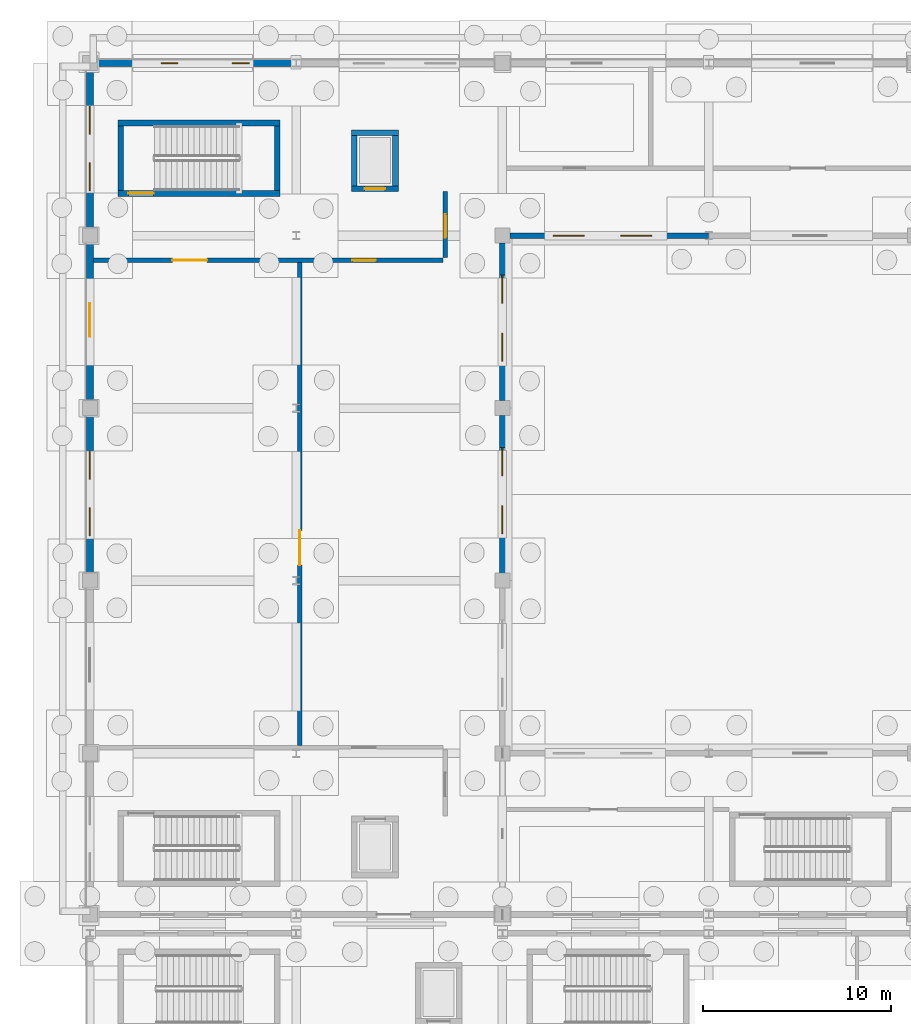
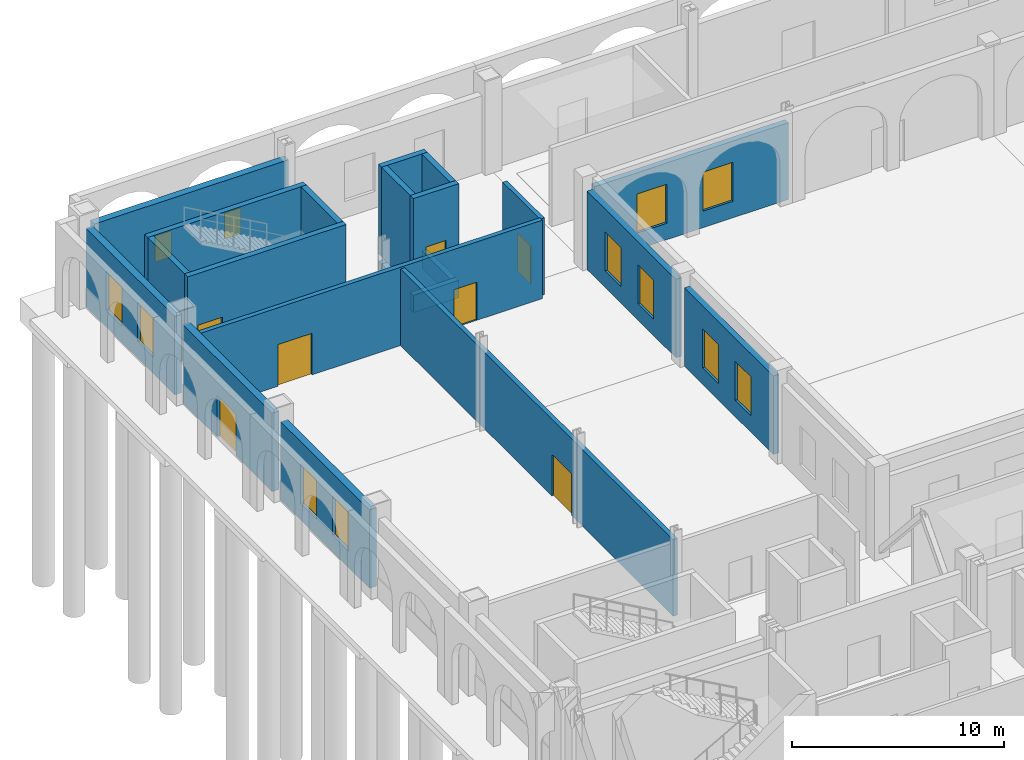
# One storey, part 56 of 83: 22 walls, 12 windows, 7 doors, 19 openings.
"""IFC4 building model written with IfcOpenShell, lengths in metres."""

from ifc_helpers import new_model, si_unit, direction, frame, frame_2d, origin, place, context, subcontext, project, spatial, rectangle, extrude, material, layer, layer_set, type_object, element, fill, save


model = new_model("IFC4")

# Units and contexts
model_context = context("Model", 3, precision=1e-05, world=origin(), true_north=direction((0.0, 1.0)))
body_context = subcontext(model_context, "Body", "Model", "MODEL_VIEW")
ifc_project = project(units=[si_unit("LENGTHUNIT", "METRE"), si_unit("AREAUNIT", "SQUARE_METRE"), si_unit("VOLUMEUNIT", "CUBIC_METRE"), si_unit("PLANEANGLEUNIT", "RADIAN"), si_unit("MASSUNIT", "GRAM", prefix="KILO")], contexts=[model_context])

# Site, building, storey
site_placement = place(None, origin())
site = spatial("IfcSite", under=ifc_project, at=site_placement, CompositionType="ELEMENT")
building_placement = place(site_placement, origin())
building = spatial("IfcBuilding", under=site, at=building_placement, Name="Caurita Quay Ferry Terminal", CompositionType="ELEMENT")
storey_placement = place(building_placement, origin())
storey = spatial("IfcBuildingStorey", under=building, at=storey_placement, Name="L00", CompositionType="ELEMENT", Elevation=0.0)

# Wall, openings, doors
ifc_material_1 = material(Name="Warm-white lime stucco masonry", Category="masonry")
ifc_layer_1 = layer(ifc_material_1, 0.239990234375, Name="Interior partitioning wall 240 mm")
ifc_layer_set_1 = layer_set([ifc_layer_1], Name="Warm-white lime stucco masonry")
wall_type_1 = type_object("IfcWallType", Name="WL-COMP-240", PredefinedType="PARTITIONING", material=ifc_layer_set_1)
wall_1_placement = place(storey_placement, frame((0.195068359375, 106.5, 0.0), z_axis=(0.0, 0.0, 1.0), x_axis=(1.0, 0.0, 0.0)))
wall_1 = element("IfcWall", 1, at=wall_1_placement, inside=storey, type_object=wall_type_1, Name="L00 Interior Partition IW-L00-022", PredefinedType="PARTITIONING", context=body_context, shape_type="SweptSolid", body=[
    extrude(rectangle(XDim=18.6298828125, YDim=0.239990234375, at=frame_2d((9.31494140625, 0.0))), origin(), (0.0, 0.0, 1.0), 4.52490234375),
])
opening_1_placement = place(wall_1_placement, frame((4.205078125, 0.0, 0.0)))
opening_1 = element("IfcOpeningElement", 2, at=opening_1_placement, cuts=wall_1, Name="Opening PD-01", PredefinedType="OPENING", context=body_context, shape_type="SweptSolid", body=[
    extrude(rectangle(XDim=1.85009765625, YDim=2.39990234375, at=frame_2d((0.925048828125, 1.199951171875))), frame((0.0, 0.1298828125, 0.0), z_axis=(0.0, -1.0, 0.0), x_axis=(1.0, 0.0, 0.0)), (0.0, 0.0, 1.0), 0.260009765625),
])
opening_2_placement = place(wall_1_placement, frame((13.804931640625, 0.0, 0.0)))
opening_2 = element("IfcOpeningElement", 3, at=opening_2_placement, cuts=wall_1, Name="Opening FD-01", PredefinedType="OPENING", context=body_context, shape_type="SweptSolid", body=[
    extrude(rectangle(XDim=1.25, YDim=2.199951171875, at=frame_2d((0.625, 1.10009765625))), frame((0.0, 0.1298828125, 0.0), z_axis=(0.0, -1.0, 0.0), x_axis=(1.0, 0.0, 0.0)), (0.0, 0.0, 1.0), 0.260009765625),
])
ifc_material_2 = material(Name="Anodized aluminium 6063-T6", Category="aluminium")
door_type_1 = type_object("IfcDoorType", Name="DR-FF-1100", OperationType="NOTDEFINED", PredefinedType="DOOR", material=ifc_material_2)
door_1_placement = place(opening_2_placement, frame((1.25, 0.0, 0.0), z_axis=(0.0, 0.0, 1.0), x_axis=(-1.0, 0.0, 0.0)))
door_1 = element("IfcDoor", 4, at=door_1_placement, inside=storey, type_object=door_type_1, Name="Firefighting Lobby L00 North Door", OperationType="SINGLE_SWING_RIGHT", OverallHeight=2.199951171875, OverallWidth=1.25, PredefinedType="DOOR", context=body_context, shape_type="SweptSolid", body=[
    extrude(rectangle(XDim=1.25, YDim=2.199951171875, at=frame_2d((0.625, 1.10009765625))), frame((0.0, 0.02490234375, 0.0), z_axis=(0.0, -1.0, 0.0), x_axis=(1.0, 0.0, 0.0)), (0.0, 0.0, 1.0), 0.050048828125),
])
fill(opening_2, door_1)
door_type_2 = type_object("IfcDoorType", Name="DR-PL-1800", OperationType="NOTDEFINED", PredefinedType="DOOR", material=ifc_material_2)
door_2_placement = place(opening_1_placement, origin())
door_2 = element("IfcDoor", 5, at=door_2_placement, inside=storey, type_object=door_type_2, Name="Chiller Plant North Fire Door", OperationType="SINGLE_SWING_LEFT", OverallHeight=2.39990234375, OverallWidth=1.85009765625, PredefinedType="DOOR", context=body_context, shape_type="SweptSolid", body=[
    extrude(rectangle(XDim=1.85009765625, YDim=2.39990234375, at=frame_2d((0.925048828125, 1.199951171875))), frame((0.0, 0.02490234375, 0.0), z_axis=(0.0, -1.0, 0.0), x_axis=(1.0, 0.0, 0.0)), (0.0, 0.0, 1.0), 0.050048828125),
])
fill(opening_1, door_2)

# Wall, opening, door
wall_2_placement = place(storey_placement, frame((11.199951171875, 80.625, 0.0), z_axis=(0.0, 0.0, 1.0), x_axis=(0.0, 1.0, 0.0)))
wall_2 = element("IfcWall", 6, at=wall_2_placement, inside=storey, type_object=wall_type_1, Name="L00 Interior Partition IW-L00-024", PredefinedType="PARTITIONING", context=body_context, shape_type="SweptSolid", body=[
    extrude(rectangle(XDim=25.75, YDim=0.239990234375, at=frame_2d((12.875, 0.0))), origin(), (0.0, 0.0, 1.0), 4.425048828125),
])
opening_3_placement = place(wall_2_placement, frame((9.60498046875, 0.0, 0.0)))
opening_3 = element("IfcOpeningElement", 7, at=opening_3_placement, cuts=wall_2, Name="Opening PD-01", PredefinedType="OPENING", context=body_context, shape_type="SweptSolid", body=[
    extrude(rectangle(XDim=1.85009765625, YDim=2.39990234375, at=frame_2d((0.925048828125, 1.199951171875))), frame((0.0, 0.1298828125, 0.0), z_axis=(0.0, -1.0, 0.0), x_axis=(1.0, 0.0, 0.0)), (0.0, 0.0, 1.0), 0.260009765625),
])
door_3_placement = place(opening_3_placement, frame((1.85009765625, 0.0, 0.0), z_axis=(0.0, 0.0, 1.0), x_axis=(-1.0, 0.0, 0.0)))
door_3 = element("IfcDoor", 8, at=door_3_placement, inside=storey, type_object=door_type_2, Name="Chiller Plant Double Fire Door", OperationType="SINGLE_SWING_RIGHT", OverallHeight=2.39990234375, OverallWidth=1.85009765625, PredefinedType="DOOR", context=body_context, shape_type="SweptSolid", body=[
    extrude(rectangle(XDim=1.85009765625, YDim=2.39990234375, at=frame_2d((0.925048828125, 1.199951171875))), frame((0.0, 0.02490234375, 0.0), z_axis=(0.0, -1.0, 0.0), x_axis=(1.0, 0.0, 0.0)), (0.0, 0.0, 1.0), 0.050048828125),
])
fill(opening_3, door_3)

wall_3_placement = place(storey_placement, frame((18.949951171875, 106.625, 0.0), z_axis=(0.0, 0.0, 1.0), x_axis=(0.0, 1.0, 0.0)))
wall_3 = element("IfcWall", 9, at=wall_3_placement, inside=storey, type_object=wall_type_1, Name="L00 Interior Partition IW-L00-025", PredefinedType="PARTITIONING", context=body_context, shape_type="SweptSolid", body=[
    extrude(rectangle(XDim=3.52490234375, YDim=0.239990234375, at=frame_2d((1.762451171875, 0.0))), origin(), (0.0, 0.0, 1.0), 4.425048828125),
])
opening_4_placement = place(wall_3_placement, frame((1.054931640625, 0.0, 0.0)))
opening_4 = element("IfcOpeningElement", 10, at=opening_4_placement, cuts=wall_3, Name="Opening FD-01", PredefinedType="OPENING", context=body_context, shape_type="SweptSolid", body=[
    extrude(rectangle(XDim=1.25, YDim=2.199951171875, at=frame_2d((0.625, 1.10009765625))), frame((0.0, 0.1298828125, 0.0), z_axis=(0.0, -1.0, 0.0), x_axis=(1.0, 0.0, 0.0)), (0.0, 0.0, 1.0), 0.260009765625),
])
door_4_placement = place(opening_4_placement, origin())
door_4 = element("IfcDoor", 11, at=door_4_placement, inside=storey, type_object=door_type_1, Name="Firefighting Lobby L00 North East Door", OperationType="SINGLE_SWING_LEFT", OverallHeight=2.199951171875, OverallWidth=1.25, PredefinedType="DOOR", context=body_context, shape_type="SweptSolid", body=[
    extrude(rectangle(XDim=1.25, YDim=2.199951171875, at=frame_2d((0.625, 1.10009765625))), frame((0.0, 0.02490234375, 0.0), z_axis=(0.0, -1.0, 0.0), x_axis=(1.0, 0.0, 0.0)), (0.0, 0.0, 1.0), 0.050048828125),
])
fill(opening_4, door_4)

ifc_material_3 = material(Name="Reinforced concrete C35/45", Category="concrete")
ifc_layer_2 = layer(ifc_material_3, 0.300048828125, Name="Interior shear wall 300 mm")
ifc_layer_set_2 = layer_set([ifc_layer_2], Name="Reinforced concrete C35/45")
wall_type_2 = type_object("IfcWallType", Name="WL-CORE-300", PredefinedType="SHEAR", material=ifc_layer_set_2)
wall_4_placement = place(storey_placement, frame((1.5, 110.050048828125, 0.0), z_axis=(0.0, 0.0, 1.0), x_axis=(1.0, 0.0, 0.0)))
wall_4 = element("IfcWall", 12, at=wall_4_placement, inside=storey, type_object=wall_type_2, Name="L00 ST-01 Core Wall South", PredefinedType="SHEAR", context=body_context, shape_type="SweptSolid", body=[
    extrude(rectangle(XDim=8.64990234375, YDim=0.300048828125, at=frame_2d((4.324951171875, 0.0))), origin(), (0.0, 0.0, 1.0), 5.179931640625),
])
opening_5_placement = place(wall_4_placement, frame((0.550048828125, 0.0, 0.0)))
opening_5 = element("IfcOpeningElement", 13, at=opening_5_placement, cuts=wall_4, Name="Opening SD-01", PredefinedType="OPENING", context=body_context, shape_type="SweptSolid", body=[
    extrude(rectangle(XDim=1.35009765625, YDim=2.199951171875, at=frame_2d((0.675048828125, 1.10009765625))), frame((0.0, 0.159912109375, 0.0), z_axis=(0.0, -1.0, 0.0), x_axis=(1.0, 0.0, 0.0)), (0.0, 0.0, 1.0), 0.320068359375),
])
door_type_3 = type_object("IfcDoorType", Name="DR-ST-1200", OperationType="NOTDEFINED", PredefinedType="DOOR", material=ifc_material_2)
door_5_placement = place(opening_5_placement, frame((1.35009765625, 0.0, 0.0), z_axis=(0.0, 0.0, 1.0), x_axis=(-1.0, 0.0, 0.0)))
door_5 = element("IfcDoor", 14, at=door_5_placement, inside=storey, type_object=door_type_3, Name="L00 Exit Stair ST-01 Fire Door", OperationType="SINGLE_SWING_LEFT", OverallHeight=2.199951171875, OverallWidth=1.35009765625, PredefinedType="DOOR", context=body_context, shape_type="SweptSolid", body=[
    extrude(rectangle(XDim=1.35009765625, YDim=2.199951171875, at=frame_2d((0.675048828125, 1.10009765625))), frame((0.0, 0.02490234375, 0.0), z_axis=(0.0, -1.0, 0.0), x_axis=(1.0, 0.0, 0.0)), (0.0, 0.0, 1.0), 0.050048828125),
])
fill(opening_5, door_5)

# Walls
wall_5_placement = place(storey_placement, frame((10.14990234375, 113.81005859375, 0.0), z_axis=(0.0, 0.0, 1.0), x_axis=(-1.0, 0.0, 0.0)))
element("IfcWall", 15, at=wall_5_placement, inside=storey, type_object=wall_type_2, Name="L00 ST-01 Core Wall North", PredefinedType="SHEAR", context=body_context, shape_type="SweptSolid", body=[
    extrude(rectangle(XDim=8.64990234375, YDim=0.300048828125, at=frame_2d((4.324951171875, 0.0))), origin(), (0.0, 0.0, 1.0), 5.179931640625),
])
for number, where, z_axis, x_axis, name in (
    (16, (1.64990234375, 113.659912109375, 0.0), (0.0, 0.0, 1.0), (0.0, -1.0, 0.0), "L00 ST-01 Core Wall West"),
    (17, (10.0, 110.199951171875, 0.0), (0.0, 0.0, 1.0), (0.0, 1.0, 0.0), "L00 ST-01 Core Wall East"),
):
    element("IfcWall", number, at=place(storey_placement, frame(where, z_axis=z_axis, x_axis=x_axis)), inside=storey, type_object=wall_type_2, Name=name, PredefinedType="SHEAR", context=body_context, shape_type="SweptSolid", body=[
        extrude(rectangle(XDim=3.4599609375, YDim=0.300048828125, at=frame_2d((1.72998046875, 0.0))), origin(), (0.0, 0.0, 1.0), 5.179931640625),
    ])
for number, where, z_axis, x_axis, name in (
    (18, (13.955078125, 110.304931640625, -1.39990234375), (0.0, 0.0, 1.0), (1.0, 0.0, 0.0), "Lift LF-01 Pit Wall S"),
    (19, (16.445068359375, 113.294921875, -1.39990234375), (0.0, 0.0, 1.0), (-1.0, 0.0, 0.0), "Lift LF-01 Pit Wall N"),
):
    element("IfcWall", number, at=place(storey_placement, frame(where, z_axis=z_axis, x_axis=x_axis)), inside=storey, type_object=wall_type_2, Name=name, PredefinedType="SHEAR", context=body_context, shape_type="SweptSolid", body=[
        extrude(rectangle(XDim=2.489990234375, YDim=0.300048828125, at=frame_2d((1.2451171875, 0.0))), origin(), (0.0, 0.0, 1.0), 1.0),
    ])
for number, where, z_axis, x_axis, name in (
    (20, (14.10498046875, 113.14501953125, -1.39990234375), (0.0, 0.0, 1.0), (0.0, -1.0, 0.0), "Lift LF-01 Pit Wall W"),
    (21, (16.294921875, 110.455078125, -1.39990234375), (0.0, 0.0, 1.0), (0.0, 1.0, 0.0), "Lift LF-01 Pit Wall E"),
):
    element("IfcWall", number, at=place(storey_placement, frame(where, z_axis=z_axis, x_axis=x_axis)), inside=storey, type_object=wall_type_2, Name=name, PredefinedType="SHEAR", context=body_context, shape_type="SweptSolid", body=[
        extrude(rectangle(XDim=2.68994140625, YDim=0.300048828125, at=frame_2d((1.344970703125, 0.0))), origin(), (0.0, 0.0, 1.0), 1.0),
    ])

# Wall, opening, door
wall_6_placement = place(storey_placement, frame((13.955078125, 110.304931640625, 0.0), z_axis=(0.0, 0.0, 1.0), x_axis=(1.0, 0.0, 0.0)))
wall_6 = element("IfcWall", 22, at=wall_6_placement, inside=storey, type_object=wall_type_2, Name="L00 Lift LF-01 Shaft Wall South", PredefinedType="SHEAR", context=body_context, shape_type="SweptSolid", body=[
    extrude(rectangle(XDim=2.489990234375, YDim=0.300048828125, at=frame_2d((1.2451171875, 0.0))), origin(), (0.0, 0.0, 1.0), 5.179931640625),
])
opening_6_placement = place(wall_6_placement, frame((0.695068359375, 0.0, 0.0)))
opening_6 = element("IfcOpeningElement", 23, at=opening_6_placement, cuts=wall_6, Name="Opening LD-01", PredefinedType="OPENING", context=body_context, shape_type="SweptSolid", body=[
    extrude(rectangle(XDim=1.10009765625, YDim=2.14990234375, at=frame_2d((0.550048828125, 1.074951171875))), frame((0.0, 0.159912109375, 0.0), z_axis=(0.0, -1.0, 0.0), x_axis=(1.0, 0.0, 0.0)), (0.0, 0.0, 1.0), 0.320068359375),
])
ifc_material_4 = material(Name="Bronze architectural metalwork", Category="metal")
door_type_4 = type_object("IfcDoorType", Name="DR-LD-01", OperationType="DOUBLE_DOOR_SLIDING", PredefinedType="DOOR", material=ifc_material_4)
door_6_placement = place(opening_6_placement, frame((1.10009765625, 0.0, 0.0), z_axis=(0.0, 0.0, 1.0), x_axis=(-1.0, 0.0, 0.0)))
door_6 = element("IfcDoor", 24, at=door_6_placement, inside=storey, type_object=door_type_4, Name="L00 Lift LF-01 Sliding Landing Door", OperationType="DOUBLE_DOOR_SLIDING", OverallHeight=2.14990234375, OverallWidth=1.10009765625, PredefinedType="DOOR", context=body_context, shape_type="SweptSolid", body=[
    extrude(rectangle(XDim=1.10009765625, YDim=2.14990234375, at=frame_2d((0.550048828125, 1.074951171875))), frame((0.0, 0.02490234375, 0.0), z_axis=(0.0, -1.0, 0.0), x_axis=(1.0, 0.0, 0.0)), (0.0, 0.0, 1.0), 0.050048828125),
])
fill(opening_6, door_6)

# Walls
wall_7_placement = place(storey_placement, frame((16.445068359375, 113.294921875, 0.0), z_axis=(0.0, 0.0, 1.0), x_axis=(-1.0, 0.0, 0.0)))
element("IfcWall", 25, at=wall_7_placement, inside=storey, type_object=wall_type_2, Name="L00 Lift LF-01 Shaft Wall North", PredefinedType="SHEAR", context=body_context, shape_type="SweptSolid", body=[
    extrude(rectangle(XDim=2.489990234375, YDim=0.300048828125, at=frame_2d((1.2451171875, 0.0))), origin(), (0.0, 0.0, 1.0), 5.179931640625),
])
for number, where, z_axis, x_axis, name in (
    (26, (14.10498046875, 113.14501953125, 0.0), (0.0, 0.0, 1.0), (0.0, -1.0, 0.0), "L00 Lift LF-01 Shaft Wall West"),
    (27, (16.294921875, 110.455078125, 0.0), (0.0, 0.0, 1.0), (0.0, 1.0, 0.0), "L00 Lift LF-01 Shaft Wall East"),
):
    element("IfcWall", number, at=place(storey_placement, frame(where, z_axis=z_axis, x_axis=x_axis)), inside=storey, type_object=wall_type_2, Name=name, PredefinedType="SHEAR", context=body_context, shape_type="SweptSolid", body=[
        extrude(rectangle(XDim=2.68994140625, YDim=0.300048828125, at=frame_2d((1.344970703125, 0.0))), origin(), (0.0, 0.0, 1.0), 5.179931640625),
    ])

# Wall, openings, windows
ifc_layer_3 = layer(ifc_material_1, 0.31005859375, Name="Exterior solidwall wall 310 mm")
ifc_layer_set_3 = layer_set([ifc_layer_3], Name="Warm-white lime stucco masonry")
wall_type_3 = type_object("IfcWallType", Name="WL-EXT-310", PredefinedType="SOLIDWALL", material=ifc_layer_set_3)
wall_8_placement = place(storey_placement, frame((22.39794921875, 107.800048828125, 0.0), z_axis=(0.0, 0.0, 1.0), x_axis=(1.0, 0.0, 0.0)))
wall_8 = element("IfcWall", 28, at=wall_8_placement, inside=storey, type_object=wall_type_3, Name="L00 Exterior Wall EW-L00-110", PredefinedType="SOLIDWALL", context=body_context, shape_type="SweptSolid", body=[
    extrude(rectangle(XDim=10.586181640625, YDim=0.31005859375, at=frame_2d((5.29296875, 0.0))), origin(), (0.0, 0.0, 1.0), 4.425048828125),
])
opening_7_placement = place(wall_8_placement, frame((2.302001953125, 0.0, 0.949951171875)))
opening_7 = element("IfcOpeningElement", 29, at=opening_7_placement, cuts=wall_8, Name="Opening W-08", PredefinedType="OPENING", context=body_context, shape_type="SweptSolid", body=[
    extrude(rectangle(XDim=1.64990234375, YDim=2.25, at=frame_2d((0.824951171875, 1.125))), frame((0.0, 0.1650390625, 0.0), z_axis=(0.0, -1.0, 0.0), x_axis=(1.0, 0.0, 0.0)), (0.0, 0.0, 1.0), 0.330078125),
])
opening_8_placement = place(wall_8_placement, frame((5.902099609375, 0.0, 0.949951171875)))
opening_8 = element("IfcOpeningElement", 30, at=opening_8_placement, cuts=wall_8, Name="Opening W-08", PredefinedType="OPENING", context=body_context, shape_type="SweptSolid", body=[
    extrude(rectangle(XDim=1.64990234375, YDim=2.25, at=frame_2d((0.824951171875, 1.125))), frame((0.0, 0.1650390625, 0.0), z_axis=(0.0, -1.0, 0.0), x_axis=(1.0, 0.0, 0.0)), (0.0, 0.0, 1.0), 0.330078125),
])
ifc_material_5 = material(Name="Laminated solar-control insulated glass", Category="glass")
window_type_1 = type_object("IfcWindowType", Name="WIN-SC-16522", PartitioningType="SINGLE_PANEL", PredefinedType="WINDOW", material=ifc_material_5)
window_1_placement = place(opening_7_placement, origin())
window_1 = element("IfcWindow", 31, at=window_1_placement, inside=storey, type_object=window_type_1, Name="L00 Casement Window WN-L00-163", OverallHeight=2.25, OverallWidth=1.64990234375, PartitioningType="SINGLE_PANEL", PredefinedType="WINDOW", context=body_context, shape_type="SweptSolid", body=[
    extrude(rectangle(XDim=1.64990234375, YDim=2.25, at=frame_2d((0.824951171875, 1.125))), frame((0.0, 0.030029296875, 0.0), z_axis=(0.0, -1.0, 0.0), x_axis=(1.0, 0.0, 0.0)), (0.0, 0.0, 1.0), 0.06005859375),
])
fill(opening_7, window_1)
window_2_placement = place(opening_8_placement, origin())
window_2 = element("IfcWindow", 32, at=window_2_placement, inside=storey, type_object=window_type_1, Name="L00 Casement Window WN-L00-164", OverallHeight=2.25, OverallWidth=1.64990234375, PartitioningType="SINGLE_PANEL", PredefinedType="WINDOW", context=body_context, shape_type="SweptSolid", body=[
    extrude(rectangle(XDim=1.64990234375, YDim=2.25, at=frame_2d((0.824951171875, 1.125))), frame((0.0, 0.030029296875, 0.0), z_axis=(0.0, -1.0, 0.0), x_axis=(1.0, 0.0, 0.0)), (0.0, 0.0, 1.0), 0.06005859375),
])
fill(opening_8, window_2)

wall_9_placement = place(storey_placement, frame((22.0, 89.798095703125, 0.0), z_axis=(0.0, 0.0, 1.0), x_axis=(0.0, 1.0, 0.0)))
wall_9 = element("IfcWall", 33, at=wall_9_placement, inside=storey, type_object=wall_type_3, Name="L00 Exterior Wall EW-L00-123", PredefinedType="SOLIDWALL", context=body_context, shape_type="SweptSolid", body=[
    extrude(rectangle(XDim=8.40380859375, YDim=0.31005859375, at=frame_2d((4.201904296875, 0.0))), origin(), (0.0, 0.0, 1.0), 4.52490234375),
])
opening_9_placement = place(wall_9_placement, frame((2.10205078125, 0.0, 0.949951171875)))
opening_9 = element("IfcOpeningElement", 34, at=opening_9_placement, cuts=wall_9, Name="Opening W-07", PredefinedType="OPENING", context=body_context, shape_type="SweptSolid", body=[
    extrude(rectangle(XDim=1.5, YDim=2.25, at=frame_2d((0.75, 1.125))), frame((0.0, 0.1650390625, 0.0), z_axis=(0.0, -1.0, 0.0), x_axis=(1.0, 0.0, 0.0)), (0.0, 0.0, 1.0), 0.330078125),
])
opening_10_placement = place(wall_9_placement, frame((5.201904296875, 0.0, 0.949951171875)))
opening_10 = element("IfcOpeningElement", 35, at=opening_10_placement, cuts=wall_9, Name="Opening W-07", PredefinedType="OPENING", context=body_context, shape_type="SweptSolid", body=[
    extrude(rectangle(XDim=1.5, YDim=2.25, at=frame_2d((0.75, 1.125))), frame((0.0, 0.1650390625, 0.0), z_axis=(0.0, -1.0, 0.0), x_axis=(1.0, 0.0, 0.0)), (0.0, 0.0, 1.0), 0.330078125),
])
window_type_2 = type_object("IfcWindowType", Name="WIN-SC-1522", PartitioningType="SINGLE_PANEL", PredefinedType="WINDOW", material=ifc_material_5)
window_3_placement = place(opening_9_placement, origin())
window_3 = element("IfcWindow", 36, at=window_3_placement, inside=storey, type_object=window_type_2, Name="L00 Casement Window WN-L00-185", OverallHeight=2.25, OverallWidth=1.5, PartitioningType="SINGLE_PANEL", PredefinedType="WINDOW", context=body_context, shape_type="SweptSolid", body=[
    extrude(rectangle(XDim=1.5, YDim=2.25, at=frame_2d((0.75, 1.125))), frame((0.0, 0.030029296875, 0.0), z_axis=(0.0, -1.0, 0.0), x_axis=(1.0, 0.0, 0.0)), (0.0, 0.0, 1.0), 0.06005859375),
])
fill(opening_9, window_3)
window_4_placement = place(opening_10_placement, origin())
window_4 = element("IfcWindow", 37, at=window_4_placement, inside=storey, type_object=window_type_2, Name="L00 Casement Window WN-L00-186", OverallHeight=2.25, OverallWidth=1.5, PartitioningType="SINGLE_PANEL", PredefinedType="WINDOW", context=body_context, shape_type="SweptSolid", body=[
    extrude(rectangle(XDim=1.5, YDim=2.25, at=frame_2d((0.75, 1.125))), frame((0.0, 0.030029296875, 0.0), z_axis=(0.0, -1.0, 0.0), x_axis=(1.0, 0.0, 0.0)), (0.0, 0.0, 1.0), 0.06005859375),
])
fill(opening_10, window_4)

wall_10_placement = place(storey_placement, frame((22.0, 98.998046875, 0.0), z_axis=(0.0, 0.0, 1.0), x_axis=(0.0, 1.0, 0.0)))
wall_10 = element("IfcWall", 38, at=wall_10_placement, inside=storey, type_object=wall_type_3, Name="L00 Exterior Wall EW-L00-124", PredefinedType="SOLIDWALL", context=body_context, shape_type="SweptSolid", body=[
    extrude(rectangle(XDim=8.404052734375, YDim=0.31005859375, at=frame_2d((4.2021484375, 0.0))), origin(), (0.0, 0.0, 1.0), 4.52490234375),
])
opening_11_placement = place(wall_10_placement, frame((2.10205078125, 0.0, 0.949951171875)))
opening_11 = element("IfcOpeningElement", 39, at=opening_11_placement, cuts=wall_10, Name="Opening W-07", PredefinedType="OPENING", context=body_context, shape_type="SweptSolid", body=[
    extrude(rectangle(XDim=1.5, YDim=2.25, at=frame_2d((0.75, 1.125))), frame((0.0, 0.1650390625, 0.0), z_axis=(0.0, -1.0, 0.0), x_axis=(1.0, 0.0, 0.0)), (0.0, 0.0, 1.0), 0.330078125),
])
opening_12_placement = place(wall_10_placement, frame((5.201904296875, 0.0, 0.949951171875)))
opening_12 = element("IfcOpeningElement", 40, at=opening_12_placement, cuts=wall_10, Name="Opening W-07", PredefinedType="OPENING", context=body_context, shape_type="SweptSolid", body=[
    extrude(rectangle(XDim=1.5, YDim=2.25, at=frame_2d((0.75, 1.125))), frame((0.0, 0.1650390625, 0.0), z_axis=(0.0, -1.0, 0.0), x_axis=(1.0, 0.0, 0.0)), (0.0, 0.0, 1.0), 0.330078125),
])
window_5_placement = place(opening_11_placement, origin())
window_5 = element("IfcWindow", 41, at=window_5_placement, inside=storey, type_object=window_type_2, Name="L00 Casement Window WN-L00-187", OverallHeight=2.25, OverallWidth=1.5, PartitioningType="SINGLE_PANEL", PredefinedType="WINDOW", context=body_context, shape_type="SweptSolid", body=[
    extrude(rectangle(XDim=1.5, YDim=2.25, at=frame_2d((0.75, 1.125))), frame((0.0, 0.030029296875, 0.0), z_axis=(0.0, -1.0, 0.0), x_axis=(1.0, 0.0, 0.0)), (0.0, 0.0, 1.0), 0.06005859375),
])
fill(opening_11, window_5)
window_6_placement = place(opening_12_placement, origin())
window_6 = element("IfcWindow", 42, at=window_6_placement, inside=storey, type_object=window_type_2, Name="L00 Casement Window WN-L00-188", OverallHeight=2.25, OverallWidth=1.5, PartitioningType="SINGLE_PANEL", PredefinedType="WINDOW", context=body_context, shape_type="SweptSolid", body=[
    extrude(rectangle(XDim=1.5, YDim=2.25, at=frame_2d((0.75, 1.125))), frame((0.0, 0.030029296875, 0.0), z_axis=(0.0, -1.0, 0.0), x_axis=(1.0, 0.0, 0.0)), (0.0, 0.0, 1.0), 0.06005859375),
])
fill(opening_12, window_6)

ifc_material_6 = material(Name="Coral stone ashlar cladding", Category="masonry")
ifc_layer_4 = layer(ifc_material_6, 0.3798828125, Name="Exterior solidwall wall 380 mm")
ifc_layer_set_4 = layer_set([ifc_layer_4], Name="Coral stone ashlar cladding")
wall_type_4 = type_object("IfcWallType", Name="WL-EXT-380", PredefinedType="SOLIDWALL", material=ifc_layer_set_4)
wall_11_placement = place(storey_placement, frame((10.984130859375, 117.0, 0.0), z_axis=(0.0, 0.0, 1.0), x_axis=(-1.0, 0.0, 0.0)))
wall_11 = element("IfcWall", 43, at=wall_11_placement, inside=storey, type_object=wall_type_4, Name="L00 Exterior Wall EW-L00-001", PredefinedType="SOLIDWALL", context=body_context, shape_type="SweptSolid", body=[
    extrude(rectangle(XDim=10.586181640625, YDim=0.3798828125, at=frame_2d((5.29296875, 0.0))), origin(), (0.0, 0.0, 1.0), 4.425048828125),
])
opening_13_placement = place(wall_11_placement, frame((2.484130859375, 0.0, 0.949951171875)))
opening_13 = element("IfcOpeningElement", 44, at=opening_13_placement, cuts=wall_11, Name="Opening W-01", PredefinedType="OPENING", context=body_context, shape_type="SweptSolid", body=[
    extrude(rectangle(XDim=0.89990234375, YDim=1.5, at=frame_2d((0.449951171875, 0.75))), frame((0.0, 0.199951171875, 0.0), z_axis=(0.0, -1.0, 0.0), x_axis=(1.0, 0.0, 0.0)), (0.0, 0.0, 1.0), 0.39990234375),
])
opening_14_placement = place(wall_11_placement, frame((6.2841796875, 0.0, 0.949951171875)))
opening_14 = element("IfcOpeningElement", 45, at=opening_14_placement, cuts=wall_11, Name="Opening W-01", PredefinedType="OPENING", context=body_context, shape_type="SweptSolid", body=[
    extrude(rectangle(XDim=0.89990234375, YDim=1.5, at=frame_2d((0.449951171875, 0.75))), frame((0.0, 0.199951171875, 0.0), z_axis=(0.0, -1.0, 0.0), x_axis=(1.0, 0.0, 0.0)), (0.0, 0.0, 1.0), 0.39990234375),
])
window_type_3 = type_object("IfcWindowType", Name="WIN-SC-0915", PartitioningType="SINGLE_PANEL", PredefinedType="WINDOW", material=ifc_material_5)
window_7_placement = place(opening_13_placement, origin())
window_7 = element("IfcWindow", 46, at=window_7_placement, inside=storey, type_object=window_type_3, Name="L00 Casement Window WN-L00-001", OverallHeight=1.5, OverallWidth=0.89990234375, PartitioningType="SINGLE_PANEL", PredefinedType="WINDOW", context=body_context, shape_type="SweptSolid", body=[
    extrude(rectangle(XDim=0.89990234375, YDim=1.5, at=frame_2d((0.449951171875, 0.75))), frame((0.0, 0.030029296875, 0.0), z_axis=(0.0, -1.0, 0.0), x_axis=(1.0, 0.0, 0.0)), (0.0, 0.0, 1.0), 0.06005859375),
])
fill(opening_13, window_7)
window_8_placement = place(opening_14_placement, origin())
window_8 = element("IfcWindow", 47, at=window_8_placement, inside=storey, type_object=window_type_3, Name="L00 Casement Window WN-L00-002", OverallHeight=1.5, OverallWidth=0.89990234375, PartitioningType="SINGLE_PANEL", PredefinedType="WINDOW", context=body_context, shape_type="SweptSolid", body=[
    extrude(rectangle(XDim=0.89990234375, YDim=1.5, at=frame_2d((0.449951171875, 0.75))), frame((0.0, 0.030029296875, 0.0), z_axis=(0.0, -1.0, 0.0), x_axis=(1.0, 0.0, 0.0)), (0.0, 0.0, 1.0), 0.06005859375),
])
fill(opening_14, window_8)

wall_12_placement = place(storey_placement, frame((0.0, 98.201904296875, 0.0), z_axis=(0.0, 0.0, 1.0), x_axis=(0.0, -1.0, 0.0)))
wall_12 = element("IfcWall", 48, at=wall_12_placement, inside=storey, type_object=wall_type_4, Name="L00 Exterior Wall EW-L00-034", PredefinedType="SOLIDWALL", context=body_context, shape_type="SweptSolid", body=[
    extrude(rectangle(XDim=8.40380859375, YDim=0.3798828125, at=frame_2d((4.201904296875, 0.0))), origin(), (0.0, 0.0, 1.0), 4.52490234375),
])
opening_15_placement = place(wall_12_placement, frame((1.902099609375, 0.0, 0.949951171875)))
opening_15 = element("IfcOpeningElement", 49, at=opening_15_placement, cuts=wall_12, Name="Opening W-07", PredefinedType="OPENING", context=body_context, shape_type="SweptSolid", body=[
    extrude(rectangle(XDim=1.5, YDim=2.25, at=frame_2d((0.75, 1.125))), frame((0.0, 0.199951171875, 0.0), z_axis=(0.0, -1.0, 0.0), x_axis=(1.0, 0.0, 0.0)), (0.0, 0.0, 1.0), 0.39990234375),
])
opening_16_placement = place(wall_12_placement, frame((4.902099609375, 0.0, 0.949951171875)))
opening_16 = element("IfcOpeningElement", 50, at=opening_16_placement, cuts=wall_12, Name="Opening W-07", PredefinedType="OPENING", context=body_context, shape_type="SweptSolid", body=[
    extrude(rectangle(XDim=1.5, YDim=2.25, at=frame_2d((0.75, 1.125))), frame((0.0, 0.199951171875, 0.0), z_axis=(0.0, -1.0, 0.0), x_axis=(1.0, 0.0, 0.0)), (0.0, 0.0, 1.0), 0.39990234375),
])
window_9_placement = place(opening_15_placement, origin())
window_9 = element("IfcWindow", 51, at=window_9_placement, inside=storey, type_object=window_type_2, Name="L00 Casement Window WN-L00-049", OverallHeight=2.25, OverallWidth=1.5, PartitioningType="SINGLE_PANEL", PredefinedType="WINDOW", context=body_context, shape_type="SweptSolid", body=[
    extrude(rectangle(XDim=1.5, YDim=2.25, at=frame_2d((0.75, 1.125))), frame((0.0, 0.030029296875, 0.0), z_axis=(0.0, -1.0, 0.0), x_axis=(1.0, 0.0, 0.0)), (0.0, 0.0, 1.0), 0.06005859375),
])
fill(opening_15, window_9)
window_10_placement = place(opening_16_placement, origin())
window_10 = element("IfcWindow", 52, at=window_10_placement, inside=storey, type_object=window_type_2, Name="L00 Casement Window WN-L00-050", OverallHeight=2.25, OverallWidth=1.5, PartitioningType="SINGLE_PANEL", PredefinedType="WINDOW", context=body_context, shape_type="SweptSolid", body=[
    extrude(rectangle(XDim=1.5, YDim=2.25, at=frame_2d((0.75, 1.125))), frame((0.0, 0.030029296875, 0.0), z_axis=(0.0, -1.0, 0.0), x_axis=(1.0, 0.0, 0.0)), (0.0, 0.0, 1.0), 0.06005859375),
])
fill(opening_16, window_10)

# Wall, opening, door
wall_13_placement = place(storey_placement, frame((0.0, 107.402099609375, 0.0), z_axis=(0.0, 0.0, 1.0), x_axis=(0.0, -1.0, 0.0)))
wall_13 = element("IfcWall", 53, at=wall_13_placement, inside=storey, type_object=wall_type_4, Name="L00 Exterior Wall EW-L00-035", PredefinedType="SOLIDWALL", context=body_context, shape_type="SweptSolid", body=[
    extrude(rectangle(XDim=8.404052734375, YDim=0.3798828125, at=frame_2d((4.2021484375, 0.0))), origin(), (0.0, 0.0, 1.0), 4.52490234375),
])
opening_17_placement = place(wall_13_placement, frame((3.201904296875, 0.0, 0.0)))
opening_17 = element("IfcOpeningElement", 54, at=opening_17_placement, cuts=wall_13, Name="Opening ED-03", PredefinedType="OPENING", context=body_context, shape_type="SweptSolid", body=[
    extrude(rectangle(XDim=1.800048828125, YDim=2.39990234375, at=frame_2d((0.89990234375, 1.199951171875))), frame((0.0, 0.199951171875, 0.0), z_axis=(0.0, -1.0, 0.0), x_axis=(1.0, 0.0, 0.0)), (0.0, 0.0, 1.0), 0.39990234375),
])
door_type_5 = type_object("IfcDoorType", Name="DR-EXT-1824", OperationType="NOTDEFINED", PredefinedType="DOOR", material=ifc_material_2)
door_7_placement = place(opening_17_placement, frame((1.800048828125, 0.0, 0.0), z_axis=(0.0, 0.0, 1.0), x_axis=(-1.0, 0.0, 0.0)))
door_7 = element("IfcDoor", 55, at=door_7_placement, inside=storey, type_object=door_type_5, Name="West Quay Exit Door ED-W4", OperationType="SINGLE_SWING_RIGHT", OverallHeight=2.39990234375, OverallWidth=1.800048828125, PredefinedType="DOOR", context=body_context, shape_type="SweptSolid", body=[
    extrude(rectangle(XDim=1.800048828125, YDim=2.39990234375, at=frame_2d((0.89990234375, 1.199951171875))), frame((0.0, 0.02490234375, 0.0), z_axis=(0.0, -1.0, 0.0), x_axis=(1.0, 0.0, 0.0)), (0.0, 0.0, 1.0), 0.050048828125),
])
fill(opening_17, door_7)

# Wall, openings, windows
wall_14_placement = place(storey_placement, frame((0.0, 116.60205078125, 0.0), z_axis=(0.0, 0.0, 1.0), x_axis=(0.0, -1.0, 0.0)))
wall_14 = element("IfcWall", 56, at=wall_14_placement, inside=storey, type_object=wall_type_4, Name="L00 Exterior Wall EW-L00-036", PredefinedType="SOLIDWALL", context=body_context, shape_type="SweptSolid", body=[
    extrude(rectangle(XDim=8.404052734375, YDim=0.3798828125, at=frame_2d((4.2021484375, 0.0))), origin(), (0.0, 0.0, 1.0), 4.52490234375),
])
opening_18_placement = place(wall_14_placement, frame((1.902099609375, 0.0, 0.949951171875)))
opening_18 = element("IfcOpeningElement", 57, at=opening_18_placement, cuts=wall_14, Name="Opening W-07", PredefinedType="OPENING", context=body_context, shape_type="SweptSolid", body=[
    extrude(rectangle(XDim=1.5, YDim=2.25, at=frame_2d((0.75, 1.125))), frame((0.0, 0.199951171875, 0.0), z_axis=(0.0, -1.0, 0.0), x_axis=(1.0, 0.0, 0.0)), (0.0, 0.0, 1.0), 0.39990234375),
])
opening_19_placement = place(wall_14_placement, frame((4.902099609375, 0.0, 0.949951171875)))
opening_19 = element("IfcOpeningElement", 58, at=opening_19_placement, cuts=wall_14, Name="Opening W-07", PredefinedType="OPENING", context=body_context, shape_type="SweptSolid", body=[
    extrude(rectangle(XDim=1.5, YDim=2.25, at=frame_2d((0.75, 1.125))), frame((0.0, 0.199951171875, 0.0), z_axis=(0.0, -1.0, 0.0), x_axis=(1.0, 0.0, 0.0)), (0.0, 0.0, 1.0), 0.39990234375),
])
window_11_placement = place(opening_18_placement, origin())
window_11 = element("IfcWindow", 59, at=window_11_placement, inside=storey, type_object=window_type_2, Name="L00 Casement Window WN-L00-051", OverallHeight=2.25, OverallWidth=1.5, PartitioningType="SINGLE_PANEL", PredefinedType="WINDOW", context=body_context, shape_type="SweptSolid", body=[
    extrude(rectangle(XDim=1.5, YDim=2.25, at=frame_2d((0.75, 1.125))), frame((0.0, 0.030029296875, 0.0), z_axis=(0.0, -1.0, 0.0), x_axis=(1.0, 0.0, 0.0)), (0.0, 0.0, 1.0), 0.06005859375),
])
fill(opening_18, window_11)
window_12_placement = place(opening_19_placement, origin())
window_12 = element("IfcWindow", 60, at=window_12_placement, inside=storey, type_object=window_type_2, Name="L00 Casement Window WN-L00-052", OverallHeight=2.25, OverallWidth=1.5, PartitioningType="SINGLE_PANEL", PredefinedType="WINDOW", context=body_context, shape_type="SweptSolid", body=[
    extrude(rectangle(XDim=1.5, YDim=2.25, at=frame_2d((0.75, 1.125))), frame((0.0, 0.030029296875, 0.0), z_axis=(0.0, -1.0, 0.0), x_axis=(1.0, 0.0, 0.0)), (0.0, 0.0, 1.0), 0.06005859375),
])
fill(opening_19, window_12)

save(model, "model.ifc")
